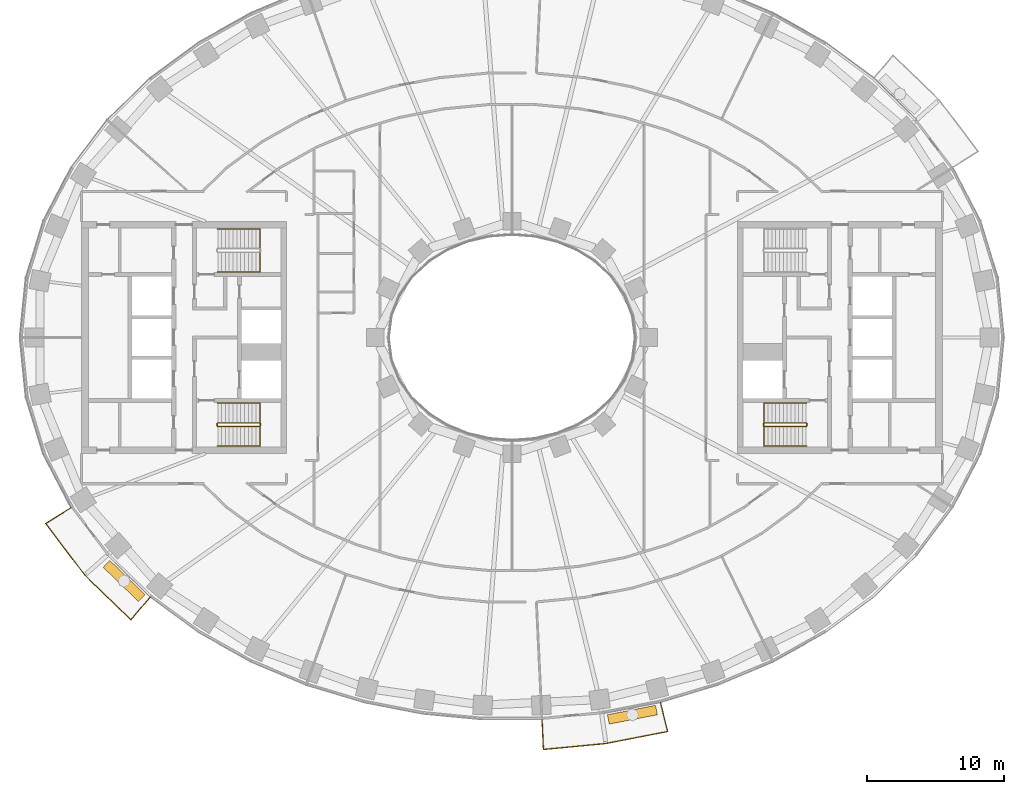
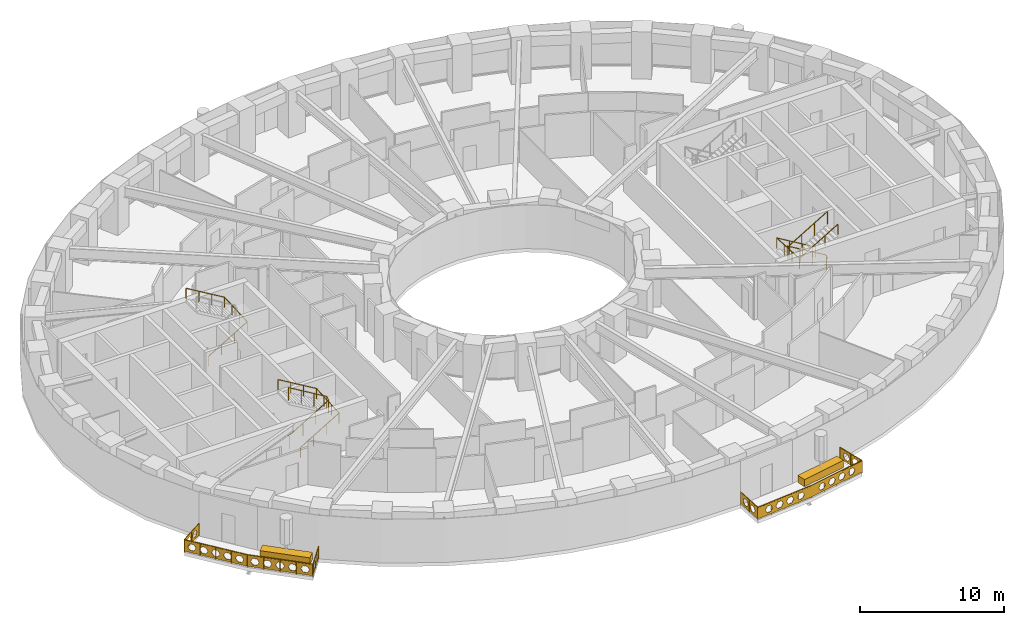
# One storey, part 14 of 16: 7 railings, 2 coverings.
"""IFC4 building model written with IfcOpenShell, lengths in metres."""

from ifc_helpers import new_model, si_unit, direction, frame, origin, origin_2d, place, context, subcontext, project, spatial, polyline, rectangle, outline, extrude, material, type_object, element, save


model = new_model("IFC4")

# Units and contexts
model_context = context("Model", 3, precision=1e-05, world=origin(), true_north=direction((0.0, 1.0)))
body_context = subcontext(model_context, "Body", "Model", "MODEL_VIEW")
ifc_project = project(units=[si_unit("LENGTHUNIT", "METRE"), si_unit("AREAUNIT", "SQUARE_METRE"), si_unit("VOLUMEUNIT", "CUBIC_METRE"), si_unit("PLANEANGLEUNIT", "RADIAN"), si_unit("MASSUNIT", "GRAM", prefix="KILO")], contexts=[model_context])

# Site, building, storey
site_placement = place(None, origin())
site = spatial("IfcSite", under=ifc_project, at=site_placement, CompositionType="ELEMENT")
building_placement = place(site_placement, origin())
building = spatial("IfcBuilding", under=site, at=building_placement, Name="Noorbagh Ring Tower", CompositionType="ELEMENT")
storey_placement = place(building_placement, frame((0.0, 0.0, 78.5)))
storey = spatial("IfcBuildingStorey", under=building, at=storey_placement, Name="L17", CompositionType="ELEMENT", Elevation=78.5)

# Railings
ifc_material_1 = material(Name="Stainless steel", Category="steel")
railing_type_1 = type_object("IfcRailingType", Name="CORE-STAIR-GUARD", PredefinedType="GUARDRAIL", material=ifc_material_1)
railing_1_placement = place(storey_placement, frame((-21.580078125, -6.449951171875, 0.0)))
element("IfcRailing", 1, at=railing_1_placement, inside=storey, type_object=railing_type_1, Name="L17 ST2 stair guard", PredefinedType="GUARDRAIL", context=body_context, shape_type="SweptSolid", body=[
    extrude(rectangle(XDim=0.048095703125, YDim=0.048095703125, at=origin_2d()), frame((0.0, 0.0, 1.076171875), z_axis=(0.0, 1.0, 0.0), x_axis=(-1.0, 0.0, 0.0)), (0.0, 0.0, 1.0), 0.14990234375),
    extrude(rectangle(XDim=0.048095703125, YDim=0.048095703125, at=origin_2d()), frame((0.0, 0.14990234375, 1.076171875), z_axis=(0.188775798145, -0.754182335027, 0.628945707965), x_axis=(0.970072785993, 0.242814311512, 0.0)), (0.0, 0.0, 1.0), 0.26513671875),
    extrude(rectangle(XDim=0.048095703125, YDim=0.048095703125, at=origin_2d()), frame((0.050048828125, -0.050048828125, 1.24267578125), z_axis=(0.859308565015, 0.0, 0.511457515432), x_axis=(0.0, 1.0, 0.0)), (0.0, 0.0, 1.0), 3.58447265625),
    extrude(rectangle(XDim=0.048095703125, YDim=0.048095703125, at=origin_2d()), frame((3.130126953125, -0.050048828125, 3.076171875), z_axis=(0.707106781187, 0.707106781187, 0.0), x_axis=(-0.707106781187, 0.707106781187, 0.0)), (0.0, 0.0, 1.0), 0.07080078125),
    extrude(rectangle(XDim=0.048095703125, YDim=0.048095703125, at=origin_2d()), frame((3.18017578125, 0.0, 3.076171875), z_axis=(0.0, 1.0, 0.0), x_axis=(-1.0, 0.0, 0.0)), (0.0, 0.0, 1.0), 0.14990234375),
    extrude(rectangle(XDim=0.048095703125, YDim=0.048095703125, at=origin_2d()), frame((3.18017578125, 0.14990234375, 3.076171875), z_axis=(-0.27628659633, 0.27628659633, 0.920506074601), x_axis=(-0.707106781187, -0.707106781187, 0.0)), (0.0, 0.0, 1.0), 0.18115234375),
    extrude(rectangle(XDim=0.048095703125, YDim=0.048095703125, at=origin_2d()), frame((3.130126953125, 0.199951171875, 3.24267578125), z_axis=(-0.859308565015, 0.0, 0.511457515432), x_axis=(0.0, -1.0, 0.0)), (0.0, 0.0, 1.0), 3.58447265625),
    extrude(rectangle(XDim=0.0419921875, YDim=0.0419921875, at=origin_2d()), origin(), (0.0, 0.0, 1.0), 1.052001953125),
    extrude(rectangle(XDim=0.0419921875, YDim=0.0419921875, at=origin_2d()), frame((1.07666015625, -0.050048828125, 0.77783203125)), (0.0, 0.0, 1.0), 1.052001953125),
    extrude(rectangle(XDim=0.0419921875, YDim=0.0419921875, at=origin_2d()), frame((2.103515625, -0.050048828125, 1.388916015625)), (0.0, 0.0, 1.0), 1.052001953125),
    extrude(rectangle(XDim=0.0419921875, YDim=0.0419921875, at=origin_2d()), frame((3.130126953125, -0.050048828125, 2.0)), (0.0, 0.0, 1.0), 1.052001953125),
    extrude(rectangle(XDim=0.0419921875, YDim=0.0419921875, at=origin_2d()), frame((3.130126953125, 0.199951171875, 2.166748046875)), (0.0, 0.0, 1.0), 1.052001953125),
    extrude(rectangle(XDim=0.0419921875, YDim=0.0419921875, at=origin_2d()), frame((2.103515625, 0.199951171875, 2.77783203125)), (0.0, 0.0, 1.0), 1.052001953125),
    extrude(rectangle(XDim=0.0419921875, YDim=0.0419921875, at=origin_2d()), frame((1.07666015625, 0.199951171875, 3.388916015625)), (0.0, 0.0, 1.0), 1.052001953125),
    extrude(rectangle(XDim=0.0419921875, YDim=0.0419921875, at=origin_2d()), frame((0.050048828125, 0.199951171875, 4.0)), (0.0, 0.0, 1.0), 1.052001953125),
])
railing_2_placement = place(storey_placement, frame((21.580078125, -6.300048828125, 0.0)))
element("IfcRailing", 2, at=railing_2_placement, inside=storey, type_object=railing_type_1, Name="L17 ST4 stair guard", PredefinedType="GUARDRAIL", context=body_context, shape_type="SweptSolid", body=[
    extrude(rectangle(XDim=0.048095703125, YDim=0.048095703125, at=origin_2d()), frame((0.0, 0.0, 1.076171875), z_axis=(0.0, -1.0, 0.0), x_axis=(1.0, 0.0, 0.0)), (0.0, 0.0, 1.0), 0.14990234375),
    extrude(rectangle(XDim=0.048095703125, YDim=0.048095703125, at=origin_2d()), frame((0.0, -0.14990234375, 1.076171875), z_axis=(-0.188775798145, 0.754182335027, 0.628945707965), x_axis=(-0.970072785993, -0.242814311512, 0.0)), (0.0, 0.0, 1.0), 0.26513671875),
    extrude(rectangle(XDim=0.048095703125, YDim=0.048095703125, at=origin_2d()), frame((-0.050048828125, 0.050048828125, 1.24267578125), z_axis=(-0.859308565015, 0.0, 0.511457515432), x_axis=(0.0, -1.0, 0.0)), (0.0, 0.0, 1.0), 3.58447265625),
    extrude(rectangle(XDim=0.048095703125, YDim=0.048095703125, at=origin_2d()), frame((-3.130126953125, 0.050048828125, 3.076171875), z_axis=(-0.707106781187, -0.707106781187, 0.0), x_axis=(0.707106781187, -0.707106781187, 0.0)), (0.0, 0.0, 1.0), 0.07080078125),
    extrude(rectangle(XDim=0.048095703125, YDim=0.048095703125, at=origin_2d()), frame((-3.18017578125, 0.0, 3.076171875), z_axis=(0.0, -1.0, 0.0), x_axis=(1.0, 0.0, 0.0)), (0.0, 0.0, 1.0), 0.14990234375),
    extrude(rectangle(XDim=0.048095703125, YDim=0.048095703125, at=origin_2d()), frame((-3.18017578125, -0.14990234375, 3.076171875), z_axis=(0.27628659633, -0.27628659633, 0.920506074601), x_axis=(0.707106781187, 0.707106781187, 0.0)), (0.0, 0.0, 1.0), 0.18115234375),
    extrude(rectangle(XDim=0.048095703125, YDim=0.048095703125, at=origin_2d()), frame((-3.130126953125, -0.199951171875, 3.24267578125), z_axis=(0.859308565015, 0.0, 0.511457515432), x_axis=(0.0, 1.0, 0.0)), (0.0, 0.0, 1.0), 3.58447265625),
    extrude(rectangle(XDim=0.0419921875, YDim=0.0419921875, at=origin_2d()), origin(), (0.0, 0.0, 1.0), 1.052001953125),
    extrude(rectangle(XDim=0.0419921875, YDim=0.0419921875, at=origin_2d()), frame((-1.07666015625, 0.050048828125, 0.77783203125)), (0.0, 0.0, 1.0), 1.052001953125),
    extrude(rectangle(XDim=0.0419921875, YDim=0.0419921875, at=origin_2d()), frame((-2.103515625, 0.050048828125, 1.388916015625)), (0.0, 0.0, 1.0), 1.052001953125),
    extrude(rectangle(XDim=0.0419921875, YDim=0.0419921875, at=origin_2d()), frame((-3.130126953125, 0.050048828125, 2.0)), (0.0, 0.0, 1.0), 1.052001953125),
    extrude(rectangle(XDim=0.0419921875, YDim=0.0419921875, at=origin_2d()), frame((-3.130126953125, -0.199951171875, 2.166748046875)), (0.0, 0.0, 1.0), 1.052001953125),
    extrude(rectangle(XDim=0.0419921875, YDim=0.0419921875, at=origin_2d()), frame((-2.103515625, -0.199951171875, 2.77783203125)), (0.0, 0.0, 1.0), 1.052001953125),
    extrude(rectangle(XDim=0.0419921875, YDim=0.0419921875, at=origin_2d()), frame((-1.07666015625, -0.199951171875, 3.388916015625)), (0.0, 0.0, 1.0), 1.052001953125),
    extrude(rectangle(XDim=0.0419921875, YDim=0.0419921875, at=origin_2d()), frame((-0.050048828125, -0.199951171875, 4.0)), (0.0, 0.0, 1.0), 1.052001953125),
])
ifc_material_2 = material(Name="Stainless steel", Category="steel")
railing_type_2 = type_object("IfcRailingType", Name="CORE-STAIR-HANDRAIL", PredefinedType="HANDRAIL", material=ifc_material_2)
railing_3_placement = place(storey_placement, frame((-21.530029296875, 4.800048828125, 0.166748046875)))
element("IfcRailing", 3, at=railing_3_placement, inside=storey, type_object=railing_type_2, Name="L17 ST1 stair handrail", PredefinedType="HANDRAIL", context=body_context, shape_type="SweptSolid", body=[
    extrude(rectangle(XDim=0.048095703125, YDim=0.048095703125, at=origin_2d()), frame((0.0, 0.0, 0.8759765625), z_axis=(0.859308565015, 0.0, 0.511457515432), x_axis=(0.0, 1.0, 0.0)), (0.0, 0.0, 1.0), 3.58447265625),
    extrude(rectangle(XDim=0.048095703125, YDim=0.048095703125, at=origin_2d()), frame((3.080078125, 0.0, 2.708984375), z_axis=(0.0, 0.998601747152, 0.052863509014), x_axis=(-1.0, 0.0, 0.0)), (0.0, 0.0, 1.0), 3.154296875),
    extrude(rectangle(XDim=0.048095703125, YDim=0.048095703125, at=origin_2d()), frame((3.080078125, 3.14990234375, 2.8759765625), z_axis=(-0.859308565015, 0.0, 0.511457515432), x_axis=(0.0, -1.0, 0.0)), (0.0, 0.0, 1.0), 3.58447265625),
    extrude(rectangle(XDim=0.0419921875, YDim=0.0419921875, at=origin_2d()), origin(), (0.0, 0.0, 1.0), 0.851806640625),
    extrude(rectangle(XDim=0.0419921875, YDim=0.0419921875, at=origin_2d()), frame((1.026611328125, 0.0, 0.611083984375)), (0.0, 0.0, 1.0), 0.851806640625),
    extrude(rectangle(XDim=0.0419921875, YDim=0.0419921875, at=origin_2d()), frame((2.053466796875, 0.0, 1.22216796875)), (0.0, 0.0, 1.0), 0.851806640625),
    extrude(rectangle(XDim=0.0419921875, YDim=0.0419921875, at=origin_2d()), frame((3.080078125, 0.0, 1.833251953125)), (0.0, 0.0, 1.0), 0.851806640625),
    extrude(rectangle(XDim=0.0419921875, YDim=0.0419921875, at=origin_2d()), frame((3.080078125, 1.050048828125, 1.888916015625)), (0.0, 0.0, 1.0), 0.851806640625),
    extrude(rectangle(XDim=0.0419921875, YDim=0.0419921875, at=origin_2d()), frame((3.080078125, 2.099853515625, 1.9443359375)), (0.0, 0.0, 1.0), 0.851806640625),
    extrude(rectangle(XDim=0.0419921875, YDim=0.0419921875, at=origin_2d()), frame((3.080078125, 3.14990234375, 2.0)), (0.0, 0.0, 1.0), 0.851806640625),
    extrude(rectangle(XDim=0.0419921875, YDim=0.0419921875, at=origin_2d()), frame((2.053466796875, 3.14990234375, 2.611083984375)), (0.0, 0.0, 1.0), 0.851806640625),
    extrude(rectangle(XDim=0.0419921875, YDim=0.0419921875, at=origin_2d()), frame((1.026611328125, 3.14990234375, 3.22216796875)), (0.0, 0.0, 1.0), 0.851806640625),
    extrude(rectangle(XDim=0.0419921875, YDim=0.0419921875, at=origin_2d()), frame((0.0, 3.14990234375, 3.833251953125)), (0.0, 0.0, 1.0), 0.851806640625),
])
railing_4_placement = place(storey_placement, frame((-21.530029296875, -7.949951171875, 0.166748046875)))
element("IfcRailing", 4, at=railing_4_placement, inside=storey, type_object=railing_type_2, Name="L17 ST2 stair handrail", PredefinedType="HANDRAIL", context=body_context, shape_type="SweptSolid", body=[
    extrude(rectangle(XDim=0.048095703125, YDim=0.048095703125, at=origin_2d()), frame((0.0, 0.0, 0.8759765625), z_axis=(0.859308565015, 0.0, 0.511457515432), x_axis=(0.0, 1.0, 0.0)), (0.0, 0.0, 1.0), 3.58447265625),
    extrude(rectangle(XDim=0.048095703125, YDim=0.048095703125, at=origin_2d()), frame((3.080078125, 0.0, 2.708984375), z_axis=(0.0, 0.998601747152, 0.052863509014), x_axis=(-1.0, 0.0, 0.0)), (0.0, 0.0, 1.0), 3.154296875),
    extrude(rectangle(XDim=0.048095703125, YDim=0.048095703125, at=origin_2d()), frame((3.080078125, 3.14990234375, 2.8759765625), z_axis=(-0.859308565015, 0.0, 0.511457515432), x_axis=(0.0, -1.0, 0.0)), (0.0, 0.0, 1.0), 3.58447265625),
    extrude(rectangle(XDim=0.0419921875, YDim=0.0419921875, at=origin_2d()), origin(), (0.0, 0.0, 1.0), 0.851806640625),
    extrude(rectangle(XDim=0.0419921875, YDim=0.0419921875, at=origin_2d()), frame((1.026611328125, 0.0, 0.611083984375)), (0.0, 0.0, 1.0), 0.851806640625),
    extrude(rectangle(XDim=0.0419921875, YDim=0.0419921875, at=origin_2d()), frame((2.053466796875, 0.0, 1.22216796875)), (0.0, 0.0, 1.0), 0.851806640625),
    extrude(rectangle(XDim=0.0419921875, YDim=0.0419921875, at=origin_2d()), frame((3.080078125, 0.0, 1.833251953125)), (0.0, 0.0, 1.0), 0.851806640625),
    extrude(rectangle(XDim=0.0419921875, YDim=0.0419921875, at=origin_2d()), frame((3.080078125, 1.050048828125, 1.888916015625)), (0.0, 0.0, 1.0), 0.851806640625),
    extrude(rectangle(XDim=0.0419921875, YDim=0.0419921875, at=origin_2d()), frame((3.080078125, 2.099853515625, 1.9443359375)), (0.0, 0.0, 1.0), 0.851806640625),
    extrude(rectangle(XDim=0.0419921875, YDim=0.0419921875, at=origin_2d()), frame((3.080078125, 3.14990234375, 2.0)), (0.0, 0.0, 1.0), 0.851806640625),
    extrude(rectangle(XDim=0.0419921875, YDim=0.0419921875, at=origin_2d()), frame((2.053466796875, 3.14990234375, 2.611083984375)), (0.0, 0.0, 1.0), 0.851806640625),
    extrude(rectangle(XDim=0.0419921875, YDim=0.0419921875, at=origin_2d()), frame((1.026611328125, 3.14990234375, 3.22216796875)), (0.0, 0.0, 1.0), 0.851806640625),
    extrude(rectangle(XDim=0.0419921875, YDim=0.0419921875, at=origin_2d()), frame((0.0, 3.14990234375, 3.833251953125)), (0.0, 0.0, 1.0), 0.851806640625),
])
railing_5_placement = place(storey_placement, frame((21.530029296875, -4.800048828125, 0.166748046875)))
element("IfcRailing", 5, at=railing_5_placement, inside=storey, type_object=railing_type_2, Name="L17 ST4 stair handrail", PredefinedType="HANDRAIL", context=body_context, shape_type="SweptSolid", body=[
    extrude(rectangle(XDim=0.048095703125, YDim=0.048095703125, at=origin_2d()), frame((0.0, 0.0, 0.8759765625), z_axis=(-0.859308565015, 0.0, 0.511457515432), x_axis=(0.0, -1.0, 0.0)), (0.0, 0.0, 1.0), 3.58447265625),
    extrude(rectangle(XDim=0.048095703125, YDim=0.048095703125, at=origin_2d()), frame((-3.080078125, 0.0, 2.708984375), z_axis=(0.0, -0.998601747152, 0.052863509014), x_axis=(1.0, 0.0, 0.0)), (0.0, 0.0, 1.0), 3.154296875),
    extrude(rectangle(XDim=0.048095703125, YDim=0.048095703125, at=origin_2d()), frame((-3.080078125, -3.14990234375, 2.8759765625), z_axis=(0.859308565015, 0.0, 0.511457515432), x_axis=(0.0, 1.0, 0.0)), (0.0, 0.0, 1.0), 3.58447265625),
    extrude(rectangle(XDim=0.0419921875, YDim=0.0419921875, at=origin_2d()), origin(), (0.0, 0.0, 1.0), 0.851806640625),
    extrude(rectangle(XDim=0.0419921875, YDim=0.0419921875, at=origin_2d()), frame((-1.026611328125, 0.0, 0.611083984375)), (0.0, 0.0, 1.0), 0.851806640625),
    extrude(rectangle(XDim=0.0419921875, YDim=0.0419921875, at=origin_2d()), frame((-2.053466796875, 0.0, 1.22216796875)), (0.0, 0.0, 1.0), 0.851806640625),
    extrude(rectangle(XDim=0.0419921875, YDim=0.0419921875, at=origin_2d()), frame((-3.080078125, 0.0, 1.833251953125)), (0.0, 0.0, 1.0), 0.851806640625),
    extrude(rectangle(XDim=0.0419921875, YDim=0.0419921875, at=origin_2d()), frame((-3.080078125, -1.050048828125, 1.888916015625)), (0.0, 0.0, 1.0), 0.851806640625),
    extrude(rectangle(XDim=0.0419921875, YDim=0.0419921875, at=origin_2d()), frame((-3.080078125, -2.099853515625, 1.9443359375)), (0.0, 0.0, 1.0), 0.851806640625),
    extrude(rectangle(XDim=0.0419921875, YDim=0.0419921875, at=origin_2d()), frame((-3.080078125, -3.14990234375, 2.0)), (0.0, 0.0, 1.0), 0.851806640625),
    extrude(rectangle(XDim=0.0419921875, YDim=0.0419921875, at=origin_2d()), frame((-2.053466796875, -3.14990234375, 2.611083984375)), (0.0, 0.0, 1.0), 0.851806640625),
    extrude(rectangle(XDim=0.0419921875, YDim=0.0419921875, at=origin_2d()), frame((-1.026611328125, -3.14990234375, 3.22216796875)), (0.0, 0.0, 1.0), 0.851806640625),
    extrude(rectangle(XDim=0.0419921875, YDim=0.0419921875, at=origin_2d()), frame((0.0, -3.14990234375, 3.833251953125)), (0.0, 0.0, 1.0), 0.851806640625),
])
ifc_material_3 = material(Name="Steel S275 black powder-coated", Category="steel")
railing_type_3 = type_object("IfcRailingType", Name="ENV-GUARD", PredefinedType="GUARDRAIL", material=ifc_material_3)
railing_6_placement = place(storey_placement, frame((-32.255126953125, -12.434814453125, 0.0)))
element("IfcRailing", 6, at=railing_6_placement, inside=storey, type_object=railing_type_3, Name="Balcony guard BS01", PredefinedType="GUARDRAIL", context=body_context, shape_type="SweptSolid", body=[
    extrude(rectangle(XDim=0.048095703125, YDim=0.048095703125, at=origin_2d()), frame((0.0, 0.0, 1.076171875), z_axis=(-0.844852397829, -0.534999463442, 0.0), x_axis=(0.534999463442, -0.844852397829, 0.0)), (0.0, 0.0, 1.0), 2.207763671875),
    extrude(rectangle(XDim=0.048095703125, YDim=0.048095703125, at=origin_2d()), frame((-1.865234375, -1.18115234375, 1.076171875), z_axis=(0.604001613322, -0.796983093362, 0.0), x_axis=(0.796983093362, 0.604001613322, 0.0)), (0.0, 0.0, 1.0), 4.7353515625),
    extrude(rectangle(XDim=0.048095703125, YDim=0.048095703125, at=origin_2d()), frame((0.994873046875, -4.955078125, 1.076171875), z_axis=(0.717212632946, -0.696854388766, 0.0), x_axis=(0.696854388766, 0.717212632946, 0.0)), (0.0, 0.0, 1.0), 4.700927734375),
    extrude(rectangle(XDim=0.048095703125, YDim=0.048095703125, at=origin_2d()), frame((4.366455078125, -8.23095703125, 1.076171875), z_axis=(0.646413574048, 0.762987215677, 0.0), x_axis=(-0.762987215677, 0.646413574048, 0.0)), (0.0, 0.0, 1.0), 2.205322265625),
    extrude(rectangle(XDim=0.0419921875, YDim=0.0419921875, at=origin_2d()), origin(), (0.0, 0.0, 1.0), 1.052001953125),
    extrude(rectangle(XDim=0.0419921875, YDim=0.0419921875, at=origin_2d()), frame((-0.9326171875, -0.590576171875, 0.0)), (0.0, 0.0, 1.0), 1.052001953125),
    extrude(rectangle(XDim=0.0419921875, YDim=0.0419921875, at=origin_2d()), frame((-1.865234375, -1.18115234375, 0.0)), (0.0, 0.0, 1.0), 1.052001953125),
    extrude(rectangle(XDim=0.0419921875, YDim=0.0419921875, at=origin_2d()), frame((-1.150146484375, -2.12451171875, 0.0)), (0.0, 0.0, 1.0), 1.052001953125),
    extrude(rectangle(XDim=0.0419921875, YDim=0.0419921875, at=origin_2d()), frame((-0.43505859375, -3.068115234375, 0.0)), (0.0, 0.0, 1.0), 1.052001953125),
    extrude(rectangle(XDim=0.0419921875, YDim=0.0419921875, at=origin_2d()), frame((0.27978515625, -4.01171875, 0.0)), (0.0, 0.0, 1.0), 1.052001953125),
    extrude(rectangle(XDim=0.0419921875, YDim=0.0419921875, at=origin_2d()), frame((0.994873046875, -4.955078125, 0.0)), (0.0, 0.0, 1.0), 1.052001953125),
    extrude(rectangle(XDim=0.0419921875, YDim=0.0419921875, at=origin_2d()), frame((1.837890625, -5.77392578125, 0.0)), (0.0, 0.0, 1.0), 1.052001953125),
    extrude(rectangle(XDim=0.0419921875, YDim=0.0419921875, at=origin_2d()), frame((2.6806640625, -6.593017578125, 0.0)), (0.0, 0.0, 1.0), 1.052001953125),
    extrude(rectangle(XDim=0.0419921875, YDim=0.0419921875, at=origin_2d()), frame((3.5234375, -7.412109375, 0.0)), (0.0, 0.0, 1.0), 1.052001953125),
    extrude(rectangle(XDim=0.0419921875, YDim=0.0419921875, at=origin_2d()), frame((4.366455078125, -8.23095703125, 0.0)), (0.0, 0.0, 1.0), 1.052001953125),
    extrude(rectangle(XDim=0.0419921875, YDim=0.0419921875, at=origin_2d()), frame((5.0791015625, -7.3896484375, 0.0)), (0.0, 0.0, 1.0), 1.052001953125),
    extrude(rectangle(XDim=0.0419921875, YDim=0.0419921875, at=origin_2d()), frame((5.7919921875, -6.54833984375, 0.0)), (0.0, 0.0, 1.0), 1.052001953125),
    extrude(outline(polyline([(0.0, 0.10009765625), (2.207763671875, 0.10009765625), (2.207763671875, 1.031982421875), (0.0, 1.031982421875), (0.0, 0.10009765625)]), holes=[polyline([(0.9638671875, 0.56591796875), (0.808837890625, 0.83447265625), (0.498779296875, 0.83447265625), (0.343994140625, 0.56591796875), (0.498779296875, 0.297607421875), (0.808837890625, 0.297607421875), (0.9638671875, 0.56591796875)]), polyline([(1.86376953125, 0.56591796875), (1.708984375, 0.83447265625), (1.39892578125, 0.83447265625), (1.243896484375, 0.56591796875), (1.39892578125, 0.297607421875), (1.708984375, 0.297607421875), (1.86376953125, 0.56591796875)])]), frame((0.00537109375, -0.008544921875, 0.0), z_axis=(-0.534999463442, 0.844852397829, 0.0), x_axis=(-0.844852397829, -0.534999463442, 0.0)), (0.0, 0.0, 1.0), 0.02001953125),
    extrude(outline(polyline([(0.0, 0.10009765625), (4.7353515625, 0.10009765625), (4.7353515625, 1.031982421875), (0.0, 1.031982421875), (0.0, 0.10009765625)]), holes=[polyline([(0.877685546875, 0.56591796875), (0.72265625, 0.83447265625), (0.41259765625, 0.83447265625), (0.257568359375, 0.56591796875), (0.41259765625, 0.297607421875), (0.72265625, 0.297607421875), (0.877685546875, 0.56591796875)]), polyline([(1.777587890625, 0.56591796875), (1.62255859375, 0.83447265625), (1.312744140625, 0.83447265625), (1.15771484375, 0.56591796875), (1.312744140625, 0.297607421875), (1.62255859375, 0.297607421875), (1.777587890625, 0.56591796875)]), polyline([(2.677734375, 0.56591796875), (2.522705078125, 0.83447265625), (2.212646484375, 0.83447265625), (2.0576171875, 0.56591796875), (2.212646484375, 0.297607421875), (2.522705078125, 0.297607421875), (2.677734375, 0.56591796875)]), polyline([(3.57763671875, 0.56591796875), (3.422607421875, 0.83447265625), (3.112548828125, 0.83447265625), (2.95751953125, 0.56591796875), (3.112548828125, 0.297607421875), (3.422607421875, 0.297607421875), (3.57763671875, 0.56591796875)]), polyline([(4.4775390625, 0.56591796875), (4.32275390625, 0.83447265625), (4.0126953125, 0.83447265625), (3.857666015625, 0.56591796875), (4.0126953125, 0.297607421875), (4.32275390625, 0.297607421875), (4.4775390625, 0.56591796875)])]), frame((-1.857177734375, -1.175048828125, 0.0), z_axis=(-0.796983093362, -0.604001613322, 0.0), x_axis=(0.604001613322, -0.796983093362, 0.0)), (0.0, 0.0, 1.0), 0.02001953125),
    extrude(outline(polyline([(0.0, 0.10009765625), (4.700927734375, 0.10009765625), (4.700927734375, 1.031982421875), (0.0, 1.031982421875), (0.0, 0.10009765625)]), holes=[polyline([(0.860595703125, 0.56591796875), (0.70556640625, 0.83447265625), (0.3955078125, 0.83447265625), (0.240478515625, 0.56591796875), (0.3955078125, 0.297607421875), (0.70556640625, 0.297607421875), (0.860595703125, 0.56591796875)]), polyline([(1.760498046875, 0.56591796875), (1.60546875, 0.83447265625), (1.29541015625, 0.83447265625), (1.140380859375, 0.56591796875), (1.29541015625, 0.297607421875), (1.60546875, 0.297607421875), (1.760498046875, 0.56591796875)]), polyline([(2.660400390625, 0.56591796875), (2.50537109375, 0.83447265625), (2.195556640625, 0.83447265625), (2.04052734375, 0.56591796875), (2.195556640625, 0.297607421875), (2.50537109375, 0.297607421875), (2.660400390625, 0.56591796875)]), polyline([(3.560546875, 0.56591796875), (3.405517578125, 0.83447265625), (3.095458984375, 0.83447265625), (2.9404296875, 0.56591796875), (3.095458984375, 0.297607421875), (3.405517578125, 0.297607421875), (3.560546875, 0.56591796875)]), polyline([(4.46044921875, 0.56591796875), (4.305419921875, 0.83447265625), (3.995361328125, 0.83447265625), (3.840576171875, 0.56591796875), (3.995361328125, 0.297607421875), (4.305419921875, 0.297607421875), (4.46044921875, 0.56591796875)])]), frame((1.001953125, -4.947998046875, 0.0), z_axis=(-0.696854388766, -0.717212632946, 0.0), x_axis=(0.717212632946, -0.696854388766, 0.0)), (0.0, 0.0, 1.0), 0.02001953125),
    extrude(outline(polyline([(0.0, 0.10009765625), (2.205322265625, 0.10009765625), (2.205322265625, 1.031982421875), (0.0, 1.031982421875), (0.0, 0.10009765625)]), holes=[polyline([(0.962646484375, 0.56591796875), (0.8076171875, 0.83447265625), (0.49755859375, 0.83447265625), (0.342529296875, 0.56591796875), (0.49755859375, 0.297607421875), (0.8076171875, 0.297607421875), (0.962646484375, 0.56591796875)]), polyline([(1.862548828125, 0.56591796875), (1.707763671875, 0.83447265625), (1.397705078125, 0.83447265625), (1.24267578125, 0.56591796875), (1.397705078125, 0.297607421875), (1.707763671875, 0.297607421875), (1.862548828125, 0.56591796875)])]), frame((4.35888671875, -8.224609375, 0.0), z_axis=(0.762987215677, -0.646413574048, 0.0), x_axis=(0.646413574048, 0.762987215677, 0.0)), (0.0, 0.0, 1.0), 0.02001953125),
])
railing_7_placement = place(storey_placement, frame((2.193115234375, -27.947998046875, 0.0)))
element("IfcRailing", 7, at=railing_7_placement, inside=storey, type_object=railing_type_3, Name="Balcony guard BS04", PredefinedType="GUARDRAIL", context=body_context, shape_type="SweptSolid", body=[
    extrude(rectangle(XDim=0.048095703125, YDim=0.048095703125, at=origin_2d()), frame((0.0, 0.0, 1.076171875), z_axis=(0.047554616162, -0.998868639252, 0.0), x_axis=(0.998868639252, 0.047554616162, 0.0)), (0.0, 0.0, 1.0), 2.202392578125),
    extrude(rectangle(XDim=0.048095703125, YDim=0.048095703125, at=origin_2d()), frame((0.104736328125, -2.199951171875, 1.076171875), z_axis=(0.995477555764, 0.094997031379, 0.0), x_axis=(-0.094997031379, 0.995477555764, 0.0)), (0.0, 0.0, 1.0), 4.59765625),
    extrude(rectangle(XDim=0.048095703125, YDim=0.048095703125, at=origin_2d()), frame((4.681640625, -1.76318359375, 1.076171875), z_axis=(0.981625049064, 0.1908199755, 0.0), x_axis=(-0.1908199755, 0.981625049064, 0.0)), (0.0, 0.0, 1.0), 4.603271484375),
    extrude(rectangle(XDim=0.048095703125, YDim=0.048095703125, at=origin_2d()), frame((9.200439453125, -0.884765625, 1.076171875), z_axis=(-0.239848558412, 0.970810315679, 0.0), x_axis=(-0.970810315679, -0.239848558412, 0.0)), (0.0, 0.0, 1.0), 2.20263671875),
    extrude(rectangle(XDim=0.0419921875, YDim=0.0419921875, at=origin_2d()), origin(), (0.0, 0.0, 1.0), 1.052001953125),
    extrude(rectangle(XDim=0.0419921875, YDim=0.0419921875, at=origin_2d()), frame((0.05224609375, -1.10009765625, 0.0)), (0.0, 0.0, 1.0), 1.052001953125),
    extrude(rectangle(XDim=0.0419921875, YDim=0.0419921875, at=origin_2d()), frame((0.104736328125, -2.199951171875, 0.0)), (0.0, 0.0, 1.0), 1.052001953125),
    extrude(rectangle(XDim=0.0419921875, YDim=0.0419921875, at=origin_2d()), frame((1.2490234375, -2.0908203125, 0.0)), (0.0, 0.0, 1.0), 1.052001953125),
    extrude(rectangle(XDim=0.0419921875, YDim=0.0419921875, at=origin_2d()), frame((2.39306640625, -1.9814453125, 0.0)), (0.0, 0.0, 1.0), 1.052001953125),
    extrude(rectangle(XDim=0.0419921875, YDim=0.0419921875, at=origin_2d()), frame((3.537353515625, -1.872314453125, 0.0)), (0.0, 0.0, 1.0), 1.052001953125),
    extrude(rectangle(XDim=0.0419921875, YDim=0.0419921875, at=origin_2d()), frame((4.681640625, -1.76318359375, 0.0)), (0.0, 0.0, 1.0), 1.052001953125),
    extrude(rectangle(XDim=0.0419921875, YDim=0.0419921875, at=origin_2d()), frame((5.811279296875, -1.54345703125, 0.0)), (0.0, 0.0, 1.0), 1.052001953125),
    extrude(rectangle(XDim=0.0419921875, YDim=0.0419921875, at=origin_2d()), frame((6.94091796875, -1.323974609375, 0.0)), (0.0, 0.0, 1.0), 1.052001953125),
    extrude(rectangle(XDim=0.0419921875, YDim=0.0419921875, at=origin_2d()), frame((8.07080078125, -1.1044921875, 0.0)), (0.0, 0.0, 1.0), 1.052001953125),
    extrude(rectangle(XDim=0.0419921875, YDim=0.0419921875, at=origin_2d()), frame((9.200439453125, -0.884765625, 0.0)), (0.0, 0.0, 1.0), 1.052001953125),
    extrude(rectangle(XDim=0.0419921875, YDim=0.0419921875, at=origin_2d()), frame((8.936279296875, 0.1845703125, 0.0)), (0.0, 0.0, 1.0), 1.052001953125),
    extrude(rectangle(XDim=0.0419921875, YDim=0.0419921875, at=origin_2d()), frame((8.672119140625, 1.253662109375, 0.0)), (0.0, 0.0, 1.0), 1.052001953125),
    extrude(outline(polyline([(0.0, 0.10009765625), (2.202392578125, 0.10009765625), (2.202392578125, 1.031982421875), (0.0, 1.031982421875), (0.0, 0.10009765625)]), holes=[polyline([(0.961181640625, 0.56591796875), (0.80615234375, 0.83447265625), (0.496337890625, 0.83447265625), (0.34130859375, 0.56591796875), (0.496337890625, 0.297607421875), (0.80615234375, 0.297607421875), (0.961181640625, 0.56591796875)]), polyline([(1.861328125, 0.56591796875), (1.706298828125, 0.83447265625), (1.396240234375, 0.83447265625), (1.2412109375, 0.56591796875), (1.396240234375, 0.297607421875), (1.706298828125, 0.297607421875), (1.861328125, 0.56591796875)])]), frame((0.010009765625, 0.00048828125, 0.0), z_axis=(-0.998868639252, -0.047554616162, 0.0), x_axis=(0.047554616162, -0.998868639252, 0.0)), (0.0, 0.0, 1.0), 0.02001953125),
    extrude(outline(polyline([(0.0, 0.10009765625), (4.59765625, 0.10009765625), (4.59765625, 1.031982421875), (0.0, 1.031982421875), (0.0, 0.10009765625)]), holes=[polyline([(1.2587890625, 0.56591796875), (1.103759765625, 0.83447265625), (0.7939453125, 0.83447265625), (0.638916015625, 0.56591796875), (0.7939453125, 0.297607421875), (1.103759765625, 0.297607421875), (1.2587890625, 0.56591796875)]), polyline([(2.158935546875, 0.56591796875), (2.00390625, 0.83447265625), (1.69384765625, 0.83447265625), (1.538818359375, 0.56591796875), (1.69384765625, 0.297607421875), (2.00390625, 0.297607421875), (2.158935546875, 0.56591796875)]), polyline([(3.058837890625, 0.56591796875), (2.90380859375, 0.83447265625), (2.59375, 0.83447265625), (2.43896484375, 0.56591796875), (2.59375, 0.297607421875), (2.90380859375, 0.297607421875), (3.058837890625, 0.56591796875)]), polyline([(3.958740234375, 0.56591796875), (3.803955078125, 0.83447265625), (3.493896484375, 0.83447265625), (3.3388671875, 0.56591796875), (3.493896484375, 0.297607421875), (3.803955078125, 0.297607421875), (3.958740234375, 0.56591796875)])]), frame((0.103759765625, -2.18994140625, 0.0), z_axis=(0.094997031379, -0.995477555764, 0.0), x_axis=(0.995477555764, 0.094997031379, 0.0)), (0.0, 0.0, 1.0), 0.02001953125),
    extrude(outline(polyline([(0.0, 0.10009765625), (4.603271484375, 0.10009765625), (4.603271484375, 1.031982421875), (0.0, 1.031982421875), (0.0, 0.10009765625)]), holes=[polyline([(1.26171875, 0.56591796875), (1.106689453125, 0.83447265625), (0.796630859375, 0.83447265625), (0.6416015625, 0.56591796875), (0.796630859375, 0.297607421875), (1.106689453125, 0.297607421875), (1.26171875, 0.56591796875)]), polyline([(2.16162109375, 0.56591796875), (2.006591796875, 0.83447265625), (1.69677734375, 0.83447265625), (1.541748046875, 0.56591796875), (1.69677734375, 0.297607421875), (2.006591796875, 0.297607421875), (2.16162109375, 0.56591796875)]), polyline([(3.061767578125, 0.56591796875), (2.90673828125, 0.83447265625), (2.5966796875, 0.83447265625), (2.441650390625, 0.56591796875), (2.5966796875, 0.297607421875), (2.90673828125, 0.297607421875), (3.061767578125, 0.56591796875)]), polyline([(3.961669921875, 0.56591796875), (3.806640625, 0.83447265625), (3.49658203125, 0.83447265625), (3.341796875, 0.56591796875), (3.49658203125, 0.297607421875), (3.806640625, 0.297607421875), (3.961669921875, 0.56591796875)])]), frame((4.6796875, -1.75341796875, 0.0), z_axis=(0.1908199755, -0.981625049064, 0.0), x_axis=(0.981625049064, 0.1908199755, 0.0)), (0.0, 0.0, 1.0), 0.02001953125),
    extrude(outline(polyline([(0.0, 0.10009765625), (2.20263671875, 0.10009765625), (2.20263671875, 1.031982421875), (0.0, 1.031982421875), (0.0, 0.10009765625)]), holes=[polyline([(0.96142578125, 0.56591796875), (0.806396484375, 0.83447265625), (0.496337890625, 0.83447265625), (0.34130859375, 0.56591796875), (0.496337890625, 0.297607421875), (0.806396484375, 0.297607421875), (0.96142578125, 0.56591796875)]), polyline([(1.861328125, 0.56591796875), (1.706298828125, 0.83447265625), (1.396240234375, 0.83447265625), (1.241455078125, 0.56591796875), (1.396240234375, 0.297607421875), (1.706298828125, 0.297607421875), (1.861328125, 0.56591796875)])]), frame((9.190673828125, -0.88720703125, 0.0), z_axis=(0.970810315679, 0.239848558412, 0.0), x_axis=(-0.239848558412, 0.970810315679, 0.0)), (0.0, 0.0, 1.0), 0.02001953125),
])

# Coverings
ifc_material_4 = material(Name="Concrete C30/37 planter with soil", Category="concrete")
covering_type = type_object("IfcCoveringType", Name="ENV-PLANTER", PredefinedType="CLADDING", material=ifc_material_4)
covering_1_placement = place(storey_placement, frame((-28.3837890625, -17.814208984375, 0.0), z_axis=(0.0, 0.0, 1.0), x_axis=(0.717224548362, -0.696842125038, 0.0)))
element("IfcCovering", 8, at=covering_1_placement, inside=storey, type_object=covering_type, Name="PLANTER BS01", ObjectType="PLANTER", PredefinedType="CLADDING", context=body_context, shape_type="SweptSolid", body=[
    extrude(rectangle(XDim=3.584228515625, YDim=0.699951171875, at=origin_2d()), origin(), (0.0, 0.0, 1.0), 0.60009765625),
])
covering_2_placement = place(storey_placement, frame((8.807861328125, -27.603515625, 0.0), z_axis=(0.0, 0.0, 1.0), x_axis=(0.981624952922, 0.190820470077, 0.0)))
element("IfcCovering", 9, at=covering_2_placement, inside=storey, type_object=covering_type, Name="PLANTER BS04", ObjectType="PLANTER", PredefinedType="CLADDING", context=body_context, shape_type="SweptSolid", body=[
    extrude(rectangle(XDim=3.586181640625, YDim=0.699951171875, at=origin_2d()), origin(), (0.0, 0.0, 1.0), 0.60009765625),
])

save(model, "model.ifc")
